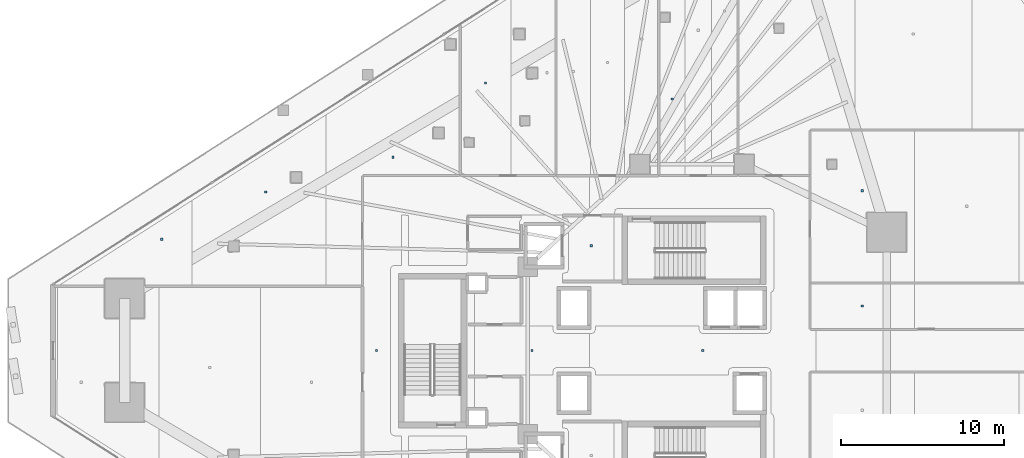
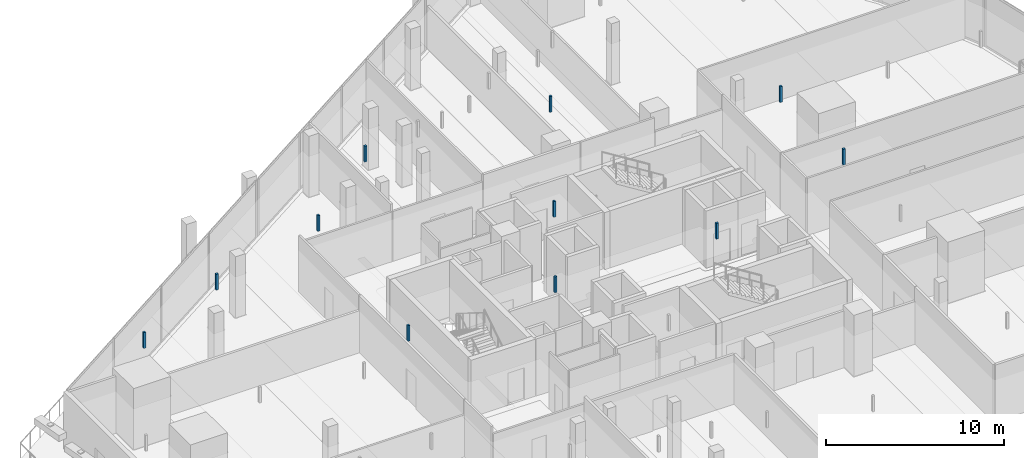
# One storey, part 34 of 45: 11 discrete accessories.
"""IFC4 building model written with IfcOpenShell, lengths in metres."""

from ifc_helpers import new_model, si_unit, direction, frame, origin, origin_2d, place, context, subcontext, project, spatial, rectangle, extrude, material, type_object, element, save


model = new_model("IFC4")

# Units and contexts
model_context = context("Model", 3, precision=1e-05, world=origin(), true_north=direction((0.0, 1.0)))
body_context = subcontext(model_context, "Body", "Model", "MODEL_VIEW")
ifc_project = project(units=[si_unit("LENGTHUNIT", "METRE"), si_unit("AREAUNIT", "SQUARE_METRE"), si_unit("VOLUMEUNIT", "CUBIC_METRE"), si_unit("PLANEANGLEUNIT", "RADIAN"), si_unit("MASSUNIT", "GRAM", prefix="KILO")], contexts=[model_context])

# Site, building, storey
site_placement = place(None, origin())
site = spatial("IfcSite", under=ifc_project, at=site_placement, CompositionType="ELEMENT")
building_placement = place(site_placement, origin())
building = spatial("IfcBuilding", under=site, at=building_placement, Name="Qorvath Tower", CompositionType="ELEMENT")
storey_placement = place(building_placement, frame((0.0, 0.0, 66.0)))
storey = spatial("IfcBuildingStorey", under=building, at=storey_placement, Name="L14", CompositionType="ELEMENT", Elevation=66.0)

# Discrete accessories
ifc_material = material(Name="Galvanised steel bracket", Category="steel")
discrete_accessory_type = type_object("IfcDiscreteAccessoryType", Name="DA-BRACKET", PredefinedType="BRACKET", material=ifc_material)
for number, where, z_axis, x_axis, name in (
    (1, (-26.590087890625, 6.449951171875, 2.860107421875), (0.0, 0.0, 1.0), (1.0, 0.0, 0.0), "Acoustic Ceiling Suspension Hanger T1-L14-001"),
    (2, (-39.797607421875, 0.0, 2.860107421875), (0.0, 0.0, 1.0), (1.0, 0.0, 0.0), "Acoustic Ceiling Suspension Hanger T1-L14-007"),
    (3, (-30.236328125, 0.0, 2.860107421875), (0.0, 0.0, 1.0), (1.0, 0.0, 0.0), "Acoustic Ceiling Suspension Hanger T1-L14-008"),
    (4, (-19.74609375, 0.0, 2.860107421875), (0.0, 0.0, 1.0), (1.0, 0.0, 0.0), "Acoustic Ceiling Suspension Hanger T1-L14-009"),
    (5, (-33.0927734375, 16.45166015625, 2.860107421875), (0.0, 0.0, 1.0), (1.0, 0.0, 0.0), "Acoustic Ceiling Suspension Hanger T1-L14-010"),
    (6, (-21.621337890625, 15.47021484375, 2.860107421875), (0.0, 0.0, 1.0), (1.0, 0.0, 0.0), "Acoustic Ceiling Suspension Hanger T1-L14-015"),
    (7, (-9.92724609375, 2.737060546875, 2.860107421875), (0.0, 0.0, 1.0), (1.0, 0.0, 0.0), "Acoustic Ceiling Suspension Hanger T1-L14-031"),
    (8, (-9.92724609375, 9.82568359375, 2.860107421875), (0.0, 0.0, 1.0), (1.0, 0.0, 0.0), "Acoustic Ceiling Suspension Hanger T1-L14-033"),
    (9, (-53.008056640625, 6.844482421875, 2.860107421875), (0.0, 0.0, 1.0), (1.0, 0.0, 0.0), "Acoustic Ceiling Suspension Hanger T1-L14-042"),
    (10, (-46.615478515625, 9.750732421875, 2.860107421875), (0.0, 0.0, 1.0), (1.0, 0.0, 0.0), "Acoustic Ceiling Suspension Hanger T1-L14-043"),
    (11, (-38.78173828125, 11.88818359375, 2.860107421875), (0.0, 0.0, 1.0), (1.0, 0.0, 0.0), "Acoustic Ceiling Suspension Hanger T1-L14-044"),
):
    element("IfcDiscreteAccessory", number, at=place(storey_placement, frame(where, z_axis=z_axis, x_axis=x_axis)), inside=storey, type_object=discrete_accessory_type, Name=name, PredefinedType="NOTDEFINED", context=body_context, shape_type="SweptSolid", body=[
        extrude(rectangle(XDim=0.139892578125, YDim=0.139892578125, at=origin_2d()), origin(), (0.0, 0.0, 1.0), 1.08984375),
    ])

save(model, "model.ifc")
